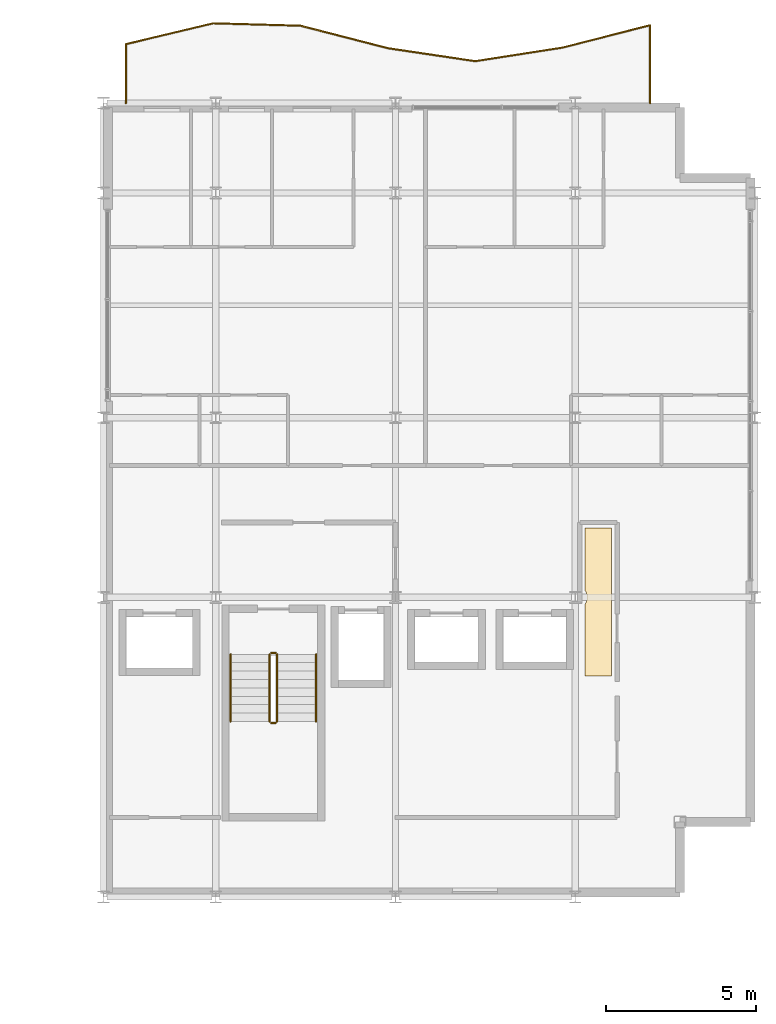
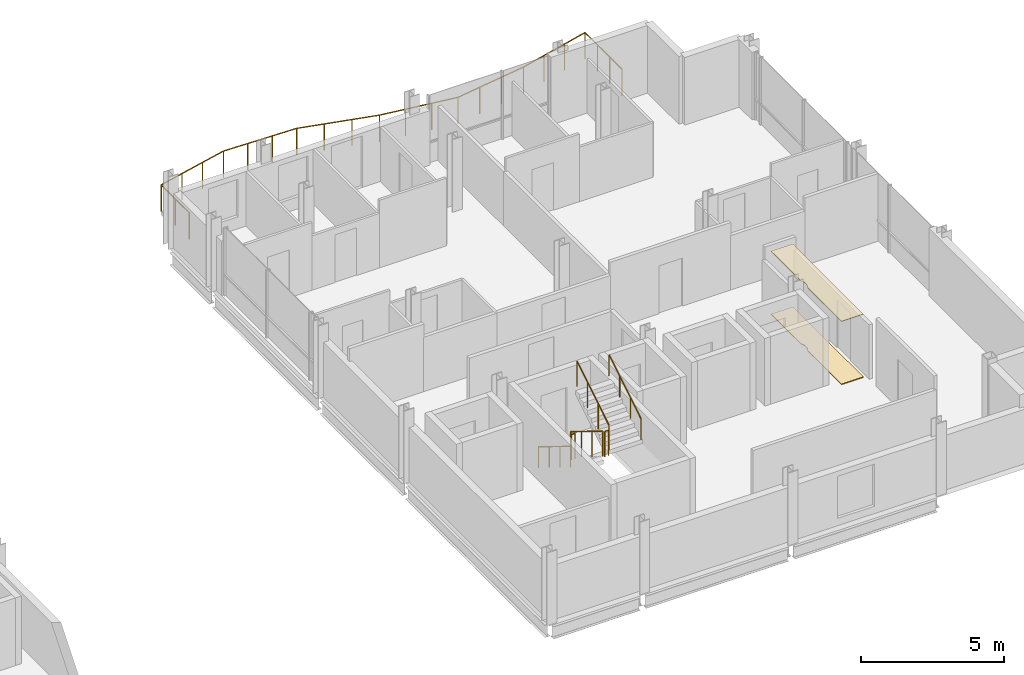
# One storey, part 27 of 27: 7 railings, 2 coverings.
"""IFC4 building model written with IfcOpenShell, lengths in metres."""

import ifcopenshell
import ifcopenshell.guid

model = None  # the IFC model being written
_history = None  # IfcOwnerHistory: only IFC2X3 demands one
_inside = {}  # id of a spatial element -> (the spatial element, [elements in it])
_under = {}  # id of a project, library or spatial element -> (it, [spatial elements below it])
_declared = {}  # id of a project -> (the project, [libraries it declares])
_typed = {}  # id of a type object -> (the type object, [elements of that type])
_made_of = {}  # id of a material, layer set ... -> (it, [elements and type objects made of it])


def new_model(schema):
    """Start an empty IFC model of exactly this schema.

    Asked for "IFC4X3", IfcOpenShell would pick the latest addendum, in which some entities
    have other attributes; the version numbers below select the first issue.
    IFC2X3 requires an IfcOwnerHistory on every rooted entity: one is made here for all.
    """
    global model, _history
    if schema == "IFC4X3":
        model = ifcopenshell.file(schema_version=(4, 3, 0, 0))
    else:
        model = ifcopenshell.file(schema=schema)
    _inside.clear()
    _under.clear()
    _declared.clear()
    _typed.clear()
    _made_of.clear()
    _history = None
    if model.schema == "IFC2X3":
        org = make("IfcOrganization", Name="unknown")
        user = make(
            "IfcPersonAndOrganization",
            ThePerson=make("IfcPerson", FamilyName="unknown"),
            TheOrganization=org,
        )
        app = make(
            "IfcApplication",
            ApplicationDeveloper=org,
            Version="unknown",
            ApplicationFullName="unknown",
            ApplicationIdentifier="unknown",
        )
        _history = make(
            "IfcOwnerHistory",
            OwningUser=user,
            OwningApplication=app,
            ChangeAction="ADDED",
            CreationDate=0,
        )
    return model


def make(cls, **values):
    """One entity of the class cls with the attributes given. An attribute that is None is left unset."""
    return model.create_entity(
        cls, **{name: value for name, value in values.items() if value is not None}
    )


def rooted(cls, **values):
    """An entity with a GlobalId (a new one), such as an element, a storey or a relation."""
    return make(cls, GlobalId=ifcopenshell.guid.new(), OwnerHistory=_history, **values)


def si_unit(unit_type, name, prefix=None):
    """IfcSIUnit, for example si_unit("LENGTHUNIT", "METRE", prefix="MILLI")."""
    return make("IfcSIUnit", UnitType=unit_type, Prefix=prefix, Name=name)


def assignment(units):
    """IfcUnitAssignment: the units of a project."""
    return None if units is None else make("IfcUnitAssignment", Units=units)


def point(xyz):
    """IfcCartesianPoint."""
    return None if xyz is None else make("IfcCartesianPoint", Coordinates=xyz)


def direction(xyz):
    """IfcDirection."""
    return None if xyz is None else make("IfcDirection", DirectionRatios=xyz)


def frame(location, z_axis=None, x_axis=None):
    """IfcAxis2Placement3D, a coordinate frame: its origin and axes. An axis left out is left unset."""
    return make(
        "IfcAxis2Placement3D",
        Location=point(location),
        Axis=direction(z_axis),
        RefDirection=direction(x_axis),
    )


def frame_2d(location, x_axis=None):
    """IfcAxis2Placement2D, a coordinate frame in the plane: its origin and x axis."""
    return make(
        "IfcAxis2Placement2D", Location=point(location), RefDirection=direction(x_axis)
    )


def origin():
    """The frame at (0, 0, 0) with its axes left unset."""
    return frame((0.0, 0.0, 0.0))


def origin_2d():
    """The frame at (0, 0) in the plane with its x axis left unset."""
    return frame_2d((0.0, 0.0))


def place(relative_to, where):
    """IfcLocalPlacement: puts the frame where relative to a parent placement (None: the world)."""
    return make(
        "IfcLocalPlacement", PlacementRelTo=relative_to, RelativePlacement=where
    )


def context(
    kind, dimensions, precision=None, world=None, true_north=None, identifier=None
):
    """IfcGeometricRepresentationContext, for example the 3D "Model" context."""
    return make(
        "IfcGeometricRepresentationContext",
        ContextIdentifier=identifier,
        ContextType=kind,
        CoordinateSpaceDimension=dimensions,
        Precision=precision,
        WorldCoordinateSystem=world,
        TrueNorth=true_north,
    )


def subcontext(parent, identifier, kind, view, scale=None):
    """IfcGeometricRepresentationSubContext, for example "Body" below "Model"."""
    return make(
        "IfcGeometricRepresentationSubContext",
        ContextIdentifier=identifier,
        ContextType=kind,
        ParentContext=parent,
        TargetScale=scale,
        TargetView=view,
    )


def project(units=None, contexts=None):
    """IfcProject with its units and contexts."""
    return rooted(
        "IfcProject",
        Name="project",
        RepresentationContexts=contexts,
        UnitsInContext=assignment(units),
    )


def spatial(cls, under=None, at=None, **own):
    """A site, building, storey or space (cls), placed at a placement, below another one or the project."""
    s = rooted(cls, ObjectPlacement=at, **own)
    if under is not None:
        _under.setdefault(under.id(), (under, []))[1].append(s)
    return s


def polyline(points):
    """IfcPolyline through the points."""
    return make("IfcPolyline", Points=[point(p) for p in points])


def profile(cls, at=None, kind="AREA", **sizes):
    """A parametric profile (cls). Its sizes go by their IFC names, for example OverallWidth=200.0."""
    return make(cls, ProfileType=kind, Position=at, **sizes)


def circle(**sizes):
    """IfcCircleProfileDef."""
    return profile("IfcCircleProfileDef", **sizes)


def outline(outer, holes=None, kind="AREA"):
    """IfcArbitraryClosedProfileDef: a profile drawn as a closed curve; with holes, ...WithVoids."""
    if holes is None:
        return make("IfcArbitraryClosedProfileDef", ProfileType=kind, OuterCurve=outer)
    return make(
        "IfcArbitraryProfileDefWithVoids",
        ProfileType=kind,
        OuterCurve=outer,
        InnerCurves=holes,
    )


def extrude(swept, where, along, depth):
    """IfcExtrudedAreaSolid: the profile swept, set in the frame where, extruded along a direction by depth."""
    return make(
        "IfcExtrudedAreaSolid",
        SweptArea=swept,
        Position=where,
        ExtrudedDirection=direction(along),
        Depth=depth,
    )


def shape(context_of_items, identifier, shape_type, items):
    """IfcShapeRepresentation: the items that make up one representation, for example the "Body"."""
    return make(
        "IfcShapeRepresentation",
        ContextOfItems=context_of_items,
        RepresentationIdentifier=identifier,
        RepresentationType=shape_type,
        Items=items,
    )


def material(Name=None, Category=None):
    """IfcMaterial."""
    return make("IfcMaterial", Name=Name, Category=Category)


def layer(
    of_material, thickness, ventilated=None, Name=None, Category=None, Priority=None
):
    """IfcMaterialLayer: one layer of a wall or slab, of a material (None: an air gap)."""
    return make(
        "IfcMaterialLayer",
        Material=of_material,
        LayerThickness=thickness,
        IsVentilated=ventilated,
        Name=Name,
        Category=Category,
        Priority=Priority,
    )


def layer_set(layers, Name=None):
    """IfcMaterialLayerSet."""
    return make("IfcMaterialLayerSet", MaterialLayers=layers, LayerSetName=Name)


def made_of(thing, what):
    """Note that an element or type object is made of a material, layer set ...; save() writes the relation."""
    if what is not None:
        _made_of.setdefault(what.id(), (what, []))[1].append(thing)
    return thing


def type_object(cls, material=None, **own):
    """A type object (cls), such as IfcWallType, which elements share."""
    return made_of(rooted(cls, **own), material)


def element(
    cls,
    number,
    at=None,
    inside=None,
    cuts=None,
    type_object=None,
    material=None,
    context=None,
    identifier="Body",
    shape_type=None,
    held_by="IfcProductDefinitionShape",
    body=None,
    shapes=None,
    **own,
):
    """One element of the class cls, such as IfcWall. Its Tag is "e" and its number.

    at: its placement. inside: the storey or other place that contains it. cuts: it is an
    opening in that element (IfcRelVoidsElement). A single representation is given by context,
    identifier, shape_type and body (its items); several are given by shapes. held_by: the class
    of the entity that holds the representations. save() writes the other relations.
    """
    e = rooted(cls, Tag="e%d" % number, ObjectPlacement=at, **own)
    if body is not None:
        shapes = [shape(context, identifier, shape_type, body)]
    if shapes is not None:
        e.Representation = make(held_by, Representations=shapes)
    if inside is not None:
        _inside.setdefault(inside.id(), (inside, []))[1].append(e)
    if cuts is not None:
        rooted(
            "IfcRelVoidsElement", RelatingBuildingElement=cuts, RelatedOpeningElement=e
        )
    if type_object is not None:
        _typed.setdefault(type_object.id(), (type_object, []))[1].append(e)
    return made_of(e, material)


def aggregate(whole, parts):
    """IfcRelAggregates: a whole, such as a stair, and the parts it consists of."""
    return rooted("IfcRelAggregates", RelatingObject=whole, RelatedObjects=parts)


def save(model, path):
    """Write the relations noted so far, then the file.

    IfcRelAggregates (storeys below a building ...), IfcRelContainedInSpatialStructure (elements
    in a storey), IfcRelDefinesByType, IfcRelAssociatesMaterial and IfcRelDeclares: one each for
    every whole, place, type object, material and project.
    """
    for whole, parts in _under.values():
        aggregate(whole, parts)
    for where, things in _inside.values():
        rooted(
            "IfcRelContainedInSpatialStructure",
            RelatedElements=things,
            RelatingStructure=where,
        )
    for kind, things in _typed.values():
        rooted("IfcRelDefinesByType", RelatedObjects=things, RelatingType=kind)
    for what, things in _made_of.values():
        rooted("IfcRelAssociatesMaterial", RelatedObjects=things, RelatingMaterial=what)
    for by, libraries in _declared.values():
        rooted("IfcRelDeclares", RelatingContext=by, RelatedDefinitions=libraries)
    model.write(path)


model = new_model("IFC4")

# Units and contexts
model_context = context("Model", 3, precision=1e-05, world=origin(), true_north=direction((0.0, 1.0)))
body_context = subcontext(model_context, "Body", "Model", "MODEL_VIEW")
ifc_project = project(units=[si_unit("LENGTHUNIT", "METRE"), si_unit("AREAUNIT", "SQUARE_METRE"), si_unit("VOLUMEUNIT", "CUBIC_METRE"), si_unit("PLANEANGLEUNIT", "RADIAN"), si_unit("MASSUNIT", "GRAM", prefix="KILO")], contexts=[model_context])

# Site, building, storey
site_placement = place(None, origin())
site = spatial("IfcSite", under=ifc_project, at=site_placement, CompositionType="ELEMENT")
building_placement = place(site_placement, origin())
building = spatial("IfcBuilding", under=site, at=building_placement, Name="Brevholm Reach", CompositionType="ELEMENT")
storey_placement = place(building_placement, frame((0.0, 0.0, 195.60009765625)))
storey = spatial("IfcBuildingStorey", under=building, at=storey_placement, Name="L59", CompositionType="ELEMENT", Elevation=195.60009765625)

# Coverings
ifc_material_1 = material(Name="Moisture-Resistant Skimmed Gypsum Plasterboard Ceiling", Category="gypsum")
ifc_layer_1 = layer(ifc_material_1, 0.030029296875)
ifc_layer_set_1 = layer_set([ifc_layer_1], Name="Moisture-Resistant Skimmed Gypsum Plasterboard Ceiling")
covering_type_1 = type_object("IfcCoveringType", Name="COV-CLG-GYP", PredefinedType="CEILING", material=ifc_layer_set_1)
covering_1_placement = place(storey_placement, frame((0.0, 0.0, 2.68994140625)))
element("IfcCovering", 1, at=covering_1_placement, inside=storey, type_object=covering_type_1, Name="L59 Suspended Ceiling L59-19", PredefinedType="CEILING", context=body_context, shape_type="SweptSolid", body=[
    extrude(outline(polyline([(54.330078125, 9.7626953125), (54.33056640625, 9.764892578125), (54.33251953125, 9.777587890625), (54.33251953125, 9.77783203125), (54.352783203125, 9.811279296875), (54.36962890625, 9.846923828125), (54.3828125, 9.8837890625), (54.392333984375, 9.922119140625), (54.398193359375, 9.960693359375), (54.39990234375, 10.0), (54.398193359375, 10.039306640625), (54.392333984375, 10.077880859375), (54.3828125, 10.1162109375), (54.36962890625, 10.153076171875), (54.352783203125, 10.188720703125), (54.333984375, 10.219970703125), (54.333984375, 12.320068359375), (55.216064453125, 12.320068359375), (55.216064453125, 7.3798828125), (54.330078125, 7.3798828125), (54.330078125, 9.7626953125)])), origin(), (0.0, 0.0, 1.0), 0.030029296875),
])
ifc_material_2 = material(Name="Honed Portland-Aggregate Resin Terrazzo Flooring", Category="concrete")
ifc_layer_2 = layer(ifc_material_2, 0.031982421875)
ifc_layer_set_2 = layer_set([ifc_layer_2], Name="Honed Portland-Aggregate Resin Terrazzo Flooring")
covering_type_2 = type_object("IfcCoveringType", Name="COV-FLR-TRZ", PredefinedType="FLOORING", material=ifc_layer_set_2)
covering_2_placement = place(storey_placement, origin())
element("IfcCovering", 2, at=covering_2_placement, inside=storey, type_object=covering_type_2, Name="L59 Floor Finish L59-19", PredefinedType="FLOORING", context=body_context, shape_type="SweptSolid", body=[
    extrude(outline(polyline([(54.330078125, 9.7626953125), (54.33056640625, 9.764892578125), (54.33251953125, 9.777587890625), (54.33251953125, 9.77783203125), (54.352783203125, 9.811279296875), (54.36962890625, 9.846923828125), (54.3828125, 9.8837890625), (54.392333984375, 9.922119140625), (54.398193359375, 9.960693359375), (54.39990234375, 10.0), (54.398193359375, 10.039306640625), (54.392333984375, 10.077880859375), (54.3828125, 10.1162109375), (54.36962890625, 10.153076171875), (54.352783203125, 10.188720703125), (54.333984375, 10.219970703125), (54.333984375, 12.320068359375), (55.216064453125, 12.320068359375), (55.216064453125, 7.3798828125), (54.330078125, 7.3798828125), (54.330078125, 9.7626953125)])), origin(), (0.0, 0.0, 1.0), 0.031982421875),
])

# Railings
ifc_material_3 = material(Name="Brushed Stainless Steel EN 1.4401 and Laminated Glass", Category="steel")
railing_type_1 = type_object("IfcRailingType", Name="RAL-BALC-1150", PredefinedType="BALUSTRADE", material=ifc_material_3)
railing_1_placement = place(storey_placement, frame((56.5, 26.5, 0.0)))
element("IfcRailing", 3, at=railing_1_placement, inside=storey, type_object=railing_type_1, Name="L59 Guard Balustrade RAL-L59-BAL-NE", PredefinedType="BALUSTRADE", context=body_context, shape_type="SweptSolid", body=[
    extrude(circle(Radius=0.02392578125, at=origin_2d()), frame((0.0, 0.0, 1.1259765625), z_axis=(0.0, 1.0, 0.0), x_axis=(-1.0, 0.0, 0.0)), (0.0, 0.0, 1.0), 2.599609375),
    extrude(circle(Radius=0.02392578125, at=origin_2d()), frame((0.0, 2.599609375, 1.1259765625), z_axis=(-0.968942936238, -0.247284423921, 0.0), x_axis=(0.247284423921, -0.968942936238, 0.0)), (0.0, 0.0, 1.0), 3.01025390625),
    extrude(circle(Radius=0.02392578125, at=origin_2d()), frame((-2.916748046875, 1.855224609375, 1.1259765625), z_axis=(-0.988044338858, -0.154169985571, 0.0), x_axis=(0.154169985571, -0.988044338858, 0.0)), (0.0, 0.0, 1.0), 2.951904296875),
    extrude(circle(Radius=0.02392578125, at=origin_2d()), frame((-5.833251953125, 1.400146484375, 1.1259765625), z_axis=(-0.98916653389, 0.146797711943, 0.0), x_axis=(-0.146797711943, -0.98916653389, 0.0)), (0.0, 0.0, 1.0), 2.94873046875),
    extrude(circle(Radius=0.02392578125, at=origin_2d()), frame((-8.75, 1.8330078125, 1.1259765625), z_axis=(-0.968377202247, 0.2494906695, 0.0), x_axis=(-0.2494906695, -0.968377202247, 0.0)), (0.0, 0.0, 1.0), 3.011962890625),
    extrude(circle(Radius=0.02392578125, at=origin_2d()), frame((-11.666748046875, 2.58447265625, 1.1259765625), z_axis=(-0.99961635372, 0.027697389342, 0.0), x_axis=(-0.027697389342, -0.99961635372, 0.0)), (0.0, 0.0, 1.0), 2.917724609375),
    extrude(circle(Radius=0.02392578125, at=origin_2d()), frame((-14.583251953125, 2.665283203125, 1.1259765625), z_axis=(-0.972705660557, -0.23204244853, 0.0), x_axis=(0.23204244853, -0.972705660557, 0.0)), (0.0, 0.0, 1.0), 2.99853515625),
    extrude(circle(Radius=0.02392578125, at=origin_2d()), frame((-17.5, 1.969482421875, 1.1259765625), z_axis=(0.0, -1.0, 0.0), x_axis=(1.0, 0.0, 0.0)), (0.0, 0.0, 1.0), 1.969482421875),
    extrude(circle(Radius=0.02099609375, at=origin_2d()), origin(), (0.0, 0.0, 1.0), 1.101806640625),
    extrude(circle(Radius=0.02099609375, at=origin_2d()), frame((0.0, 0.866455078125, 0.0)), (0.0, 0.0, 1.0), 1.101806640625),
    extrude(circle(Radius=0.02099609375, at=origin_2d()), frame((0.0, 1.733154296875, 0.0)), (0.0, 0.0, 1.0), 1.101806640625),
    extrude(circle(Radius=0.02099609375, at=origin_2d()), frame((0.0, 2.599609375, 0.0)), (0.0, 0.0, 1.0), 1.101806640625),
    extrude(circle(Radius=0.02099609375, at=origin_2d()), frame((-0.97216796875, 2.3515625, 0.0)), (0.0, 0.0, 1.0), 1.101806640625),
    extrude(circle(Radius=0.02099609375, at=origin_2d()), frame((-1.944580078125, 2.103271484375, 0.0)), (0.0, 0.0, 1.0), 1.101806640625),
    extrude(circle(Radius=0.02099609375, at=origin_2d()), frame((-2.916748046875, 1.855224609375, 0.0)), (0.0, 0.0, 1.0), 1.101806640625),
    extrude(circle(Radius=0.02099609375, at=origin_2d()), frame((-3.888916015625, 1.70361328125, 0.0)), (0.0, 0.0, 1.0), 1.101806640625),
    extrude(circle(Radius=0.02099609375, at=origin_2d()), frame((-4.861083984375, 1.5517578125, 0.0)), (0.0, 0.0, 1.0), 1.101806640625),
    extrude(circle(Radius=0.02099609375, at=origin_2d()), frame((-5.833251953125, 1.400146484375, 0.0)), (0.0, 0.0, 1.0), 1.101806640625),
    extrude(circle(Radius=0.02099609375, at=origin_2d()), frame((-6.805419921875, 1.54443359375, 0.0)), (0.0, 0.0, 1.0), 1.101806640625),
    extrude(circle(Radius=0.02099609375, at=origin_2d()), frame((-7.77783203125, 1.688720703125, 0.0)), (0.0, 0.0, 1.0), 1.101806640625),
    extrude(circle(Radius=0.02099609375, at=origin_2d()), frame((-8.75, 1.8330078125, 0.0)), (0.0, 0.0, 1.0), 1.101806640625),
    extrude(circle(Radius=0.02099609375, at=origin_2d()), frame((-9.72216796875, 2.08349609375, 0.0)), (0.0, 0.0, 1.0), 1.101806640625),
    extrude(circle(Radius=0.02099609375, at=origin_2d()), frame((-10.694580078125, 2.333984375, 0.0)), (0.0, 0.0, 1.0), 1.101806640625),
    extrude(circle(Radius=0.02099609375, at=origin_2d()), frame((-11.666748046875, 2.58447265625, 0.0)), (0.0, 0.0, 1.0), 1.101806640625),
    extrude(circle(Radius=0.02099609375, at=origin_2d()), frame((-12.638916015625, 2.611328125, 0.0)), (0.0, 0.0, 1.0), 1.101806640625),
    extrude(circle(Radius=0.02099609375, at=origin_2d()), frame((-13.611083984375, 2.638427734375, 0.0)), (0.0, 0.0, 1.0), 1.101806640625),
    extrude(circle(Radius=0.02099609375, at=origin_2d()), frame((-14.583251953125, 2.665283203125, 0.0)), (0.0, 0.0, 1.0), 1.101806640625),
    extrude(circle(Radius=0.02099609375, at=origin_2d()), frame((-15.555419921875, 2.433349609375, 0.0)), (0.0, 0.0, 1.0), 1.101806640625),
    extrude(circle(Radius=0.02099609375, at=origin_2d()), frame((-16.52783203125, 2.201416015625, 0.0)), (0.0, 0.0, 1.0), 1.101806640625),
    extrude(circle(Radius=0.02099609375, at=origin_2d()), frame((-17.5, 1.969482421875, 0.0)), (0.0, 0.0, 1.0), 1.101806640625),
    extrude(circle(Radius=0.02099609375, at=origin_2d()), frame((-17.5, 0.98486328125, 0.0)), (0.0, 0.0, 1.0), 1.101806640625),
    extrude(circle(Radius=0.02099609375, at=origin_2d()), frame((-17.5, 0.0, 0.0)), (0.0, 0.0, 1.0), 1.101806640625),
])
ifc_material_4 = material(Name="Brushed Stainless Steel EN 1.4401 Continuous Handrail", Category="steel")
railing_type_2 = type_object("IfcRailingType", Name="RAL-HND-950", PredefinedType="HANDRAIL", material=ifc_material_4)
railing_2_placement = place(storey_placement, frame((42.5, 8.10009765625, 0.172119140625)))
element("IfcRailing", 4, at=railing_2_placement, inside=storey, type_object=railing_type_2, Name="L59 ST-2 stair handrail 1", PredefinedType="HANDRAIL", context=body_context, shape_type="SweptSolid", body=[
    extrude(circle(Radius=0.02392578125, at=origin_2d()), frame((0.0, 0.0, 0.8857421875), z_axis=(0.0, -0.85178898068, 0.523885037382), x_axis=(1.0, 0.0, 0.0)), (0.0, 0.0, 1.0), 2.629638671875),
    extrude(circle(Radius=0.02099609375, at=origin_2d()), origin(), (0.0, 0.0, 1.0), 0.86181640625),
    extrude(circle(Radius=0.02099609375, at=origin_2d()), frame((0.0, -0.74658203125, 0.459228515625)), (0.0, 0.0, 1.0), 0.86181640625),
    extrude(circle(Radius=0.02099609375, at=origin_2d()), frame((0.0, -1.493408203125, 0.91845703125)), (0.0, 0.0, 1.0), 0.86181640625),
    extrude(circle(Radius=0.02099609375, at=origin_2d()), frame((0.0, -2.239990234375, 1.377685546875)), (0.0, 0.0, 1.0), 0.86181640625),
])
railing_3_placement = place(storey_placement, frame((45.35009765625, 5.860107421875, 1.72216796875)))
element("IfcRailing", 5, at=railing_3_placement, inside=storey, type_object=railing_type_2, Name="L59 ST-2 stair handrail 2", PredefinedType="HANDRAIL", context=body_context, shape_type="SweptSolid", body=[
    extrude(circle(Radius=0.02392578125, at=origin_2d()), frame((0.0, 0.0, 0.8857421875), z_axis=(0.0, 0.85178898068, 0.523885037382), x_axis=(-1.0, 0.0, 0.0)), (0.0, 0.0, 1.0), 2.629638671875),
    extrude(circle(Radius=0.02099609375, at=origin_2d()), origin(), (0.0, 0.0, 1.0), 0.86181640625),
    extrude(circle(Radius=0.02099609375, at=origin_2d()), frame((0.0, 0.74658203125, 0.459228515625)), (0.0, 0.0, 1.0), 0.86181640625),
    extrude(circle(Radius=0.02099609375, at=origin_2d()), frame((0.0, 1.493408203125, 0.91845703125)), (0.0, 0.0, 1.0), 0.86181640625),
    extrude(circle(Radius=0.02099609375, at=origin_2d()), frame((0.0, 2.239990234375, 1.377685546875)), (0.0, 0.0, 1.0), 0.86181640625),
])
ifc_material_5 = material(Name="Painted Tubular Galvanised Steel S275JR Stair Guard", Category="steel")
railing_type_3 = type_object("IfcRailingType", Name="RAL-STG-1120", PredefinedType="BALUSTRADE", material=ifc_material_5)
railing_4_placement = place(storey_placement, frame((43.800048828125, 8.10009765625, 0.172119140625)))
element("IfcRailing", 6, at=railing_4_placement, inside=storey, type_object=railing_type_3, Name="L59 ST-2 stair guard 1", PredefinedType="BALUSTRADE", context=body_context, shape_type="SweptSolid", body=[
    extrude(circle(Radius=0.02392578125, at=origin_2d()), frame((0.0, 0.0, 1.076171875), z_axis=(0.0, -0.85178898068, 0.523885037382), x_axis=(1.0, 0.0, 0.0)), (0.0, 0.0, 1.0), 2.629638671875),
    extrude(circle(Radius=0.02099609375, at=origin_2d()), origin(), (0.0, 0.0, 1.0), 1.052001953125),
    extrude(circle(Radius=0.02099609375, at=origin_2d()), frame((0.0, -0.74658203125, 0.459228515625)), (0.0, 0.0, 1.0), 1.052001953125),
    extrude(circle(Radius=0.02099609375, at=origin_2d()), frame((0.0, -1.493408203125, 0.91845703125)), (0.0, 0.0, 1.0), 1.052001953125),
    extrude(circle(Radius=0.02099609375, at=origin_2d()), frame((0.0, -2.239990234375, 1.377685546875)), (0.0, 0.0, 1.0), 1.052001953125),
])
railing_5_placement = place(storey_placement, frame((43.85009765625, 5.81005859375, 1.5498046875)))
element("IfcRailing", 7, at=railing_5_placement, inside=storey, type_object=railing_type_3, Name="L59 ST-2 stair guard 2", PredefinedType="BALUSTRADE", context=body_context, shape_type="SweptSolid", body=[
    extrude(circle(Radius=0.02392578125, at=origin_2d()), frame((0.0, 0.0, 1.076171875), z_axis=(1.0, 0.0, 0.0), x_axis=(0.0, 1.0, 0.0)), (0.0, 0.0, 1.0), 0.14990234375),
    extrude(circle(Radius=0.02099609375, at=origin_2d()), origin(), (0.0, 0.0, 1.0), 1.052001953125),
    extrude(circle(Radius=0.02099609375, at=origin_2d()), frame((0.14990234375, 0.0, 0.0)), (0.0, 0.0, 1.0), 1.052001953125),
])
railing_6_placement = place(storey_placement, frame((44.050048828125, 5.860107421875, 1.72216796875)))
element("IfcRailing", 8, at=railing_6_placement, inside=storey, type_object=railing_type_3, Name="L59 ST-2 stair guard 3", PredefinedType="BALUSTRADE", context=body_context, shape_type="SweptSolid", body=[
    extrude(circle(Radius=0.02392578125, at=origin_2d()), frame((0.0, 0.0, 1.076171875), z_axis=(0.0, 0.85178898068, 0.523885037382), x_axis=(-1.0, 0.0, 0.0)), (0.0, 0.0, 1.0), 2.629638671875),
    extrude(circle(Radius=0.02099609375, at=origin_2d()), origin(), (0.0, 0.0, 1.0), 1.052001953125),
    extrude(circle(Radius=0.02099609375, at=origin_2d()), frame((0.0, 0.74658203125, 0.459228515625)), (0.0, 0.0, 1.0), 1.052001953125),
    extrude(circle(Radius=0.02099609375, at=origin_2d()), frame((0.0, 1.493408203125, 0.91845703125)), (0.0, 0.0, 1.0), 1.052001953125),
    extrude(circle(Radius=0.02099609375, at=origin_2d()), frame((0.0, 2.239990234375, 1.377685546875)), (0.0, 0.0, 1.0), 1.052001953125),
])
railing_7_placement = place(storey_placement, frame((43.85009765625, 8.14990234375, 0.0)))
element("IfcRailing", 9, at=railing_7_placement, inside=storey, type_object=railing_type_3, Name="L59 ST-2 stair guard 4", PredefinedType="BALUSTRADE", context=body_context, shape_type="SweptSolid", body=[
    extrude(circle(Radius=0.02392578125, at=origin_2d()), frame((0.0, 0.0, 1.076171875), z_axis=(1.0, 0.0, 0.0), x_axis=(0.0, 1.0, 0.0)), (0.0, 0.0, 1.0), 0.14990234375),
    extrude(circle(Radius=0.02099609375, at=origin_2d()), origin(), (0.0, 0.0, 1.0), 1.052001953125),
    extrude(circle(Radius=0.02099609375, at=origin_2d()), frame((0.14990234375, 0.0, 0.0)), (0.0, 0.0, 1.0), 1.052001953125),
])

save(model, "model.ifc")
